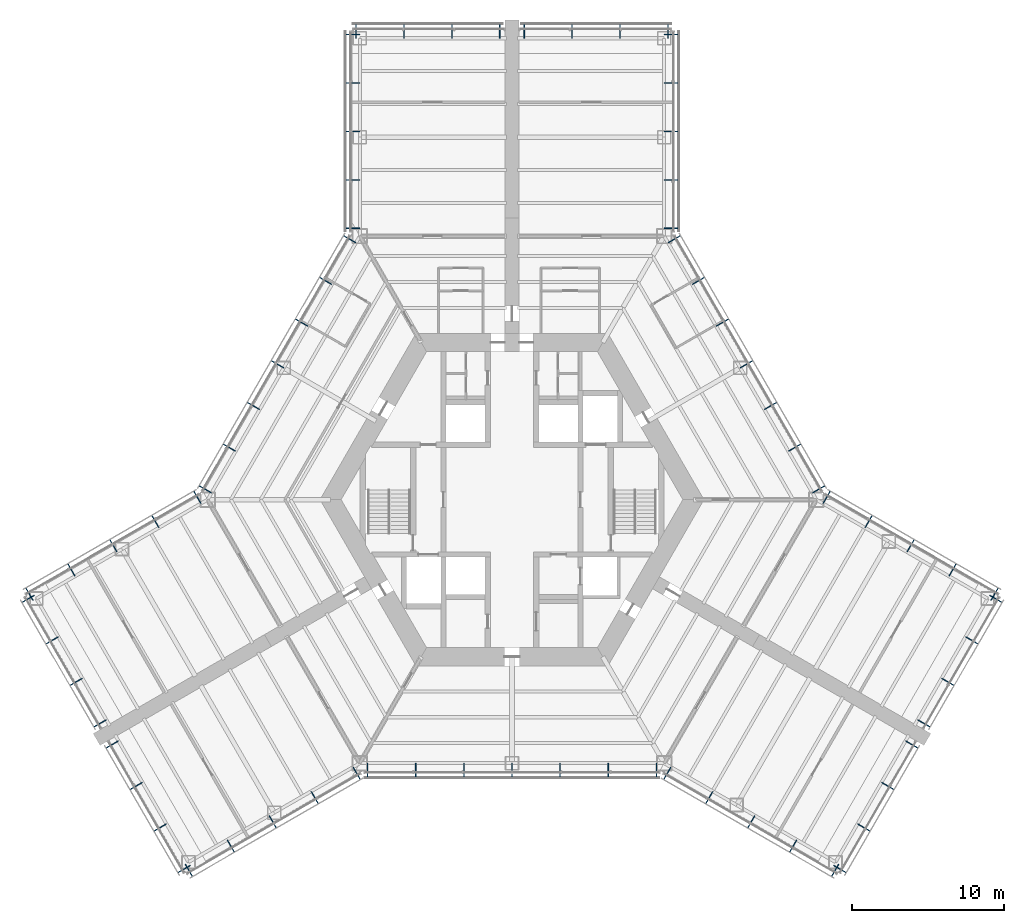
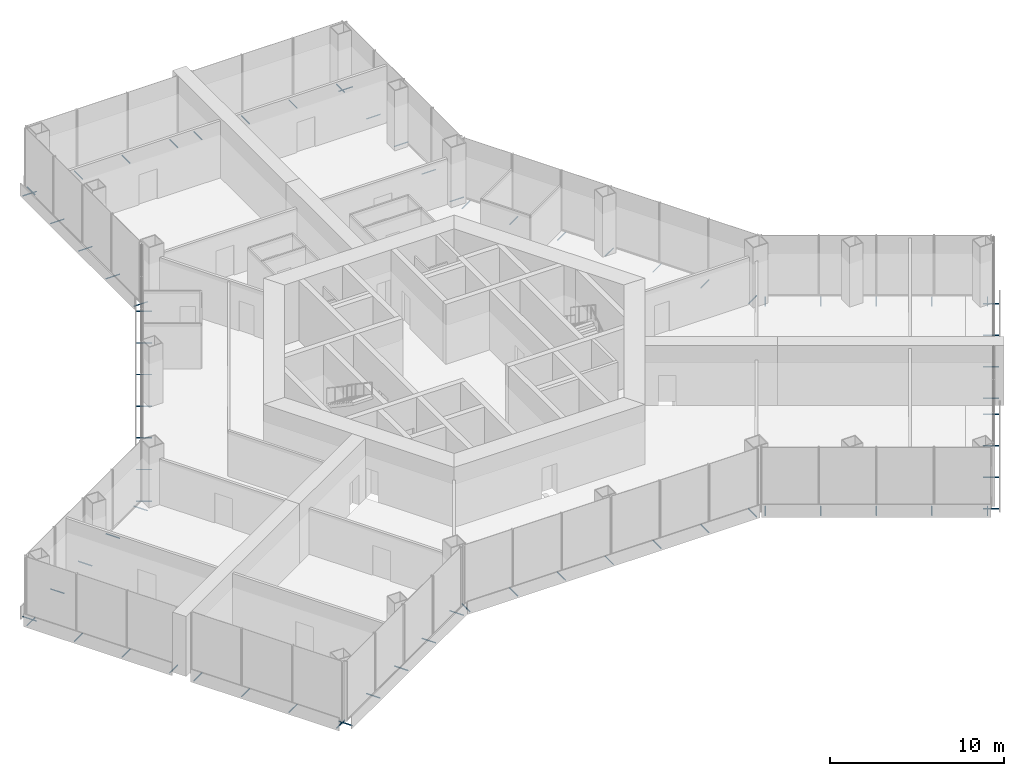
# One storey, part 14 of 16: 75 discrete accessories.
"""IFC4 building model written with IfcOpenShell, lengths in metres."""

from ifc_helpers import new_model, si_unit, direction, frame, origin, origin_2d, place, context, subcontext, project, spatial, hollow_circle, extrude, material, material_profile, profile_set, type_object, element, save


model = new_model("IFC4")

# Units and contexts
model_context = context("Model", 3, precision=1e-05, world=origin(), true_north=direction((0.0, 1.0)))
body_context = subcontext(model_context, "Body", "Model", "MODEL_VIEW")
ifc_project = project(units=[si_unit("LENGTHUNIT", "METRE"), si_unit("AREAUNIT", "SQUARE_METRE"), si_unit("VOLUMEUNIT", "CUBIC_METRE"), si_unit("PLANEANGLEUNIT", "RADIAN"), si_unit("MASSUNIT", "GRAM", prefix="KILO")], contexts=[model_context])

# Site, building, storey
site_placement = place(None, origin())
site = spatial("IfcSite", under=ifc_project, at=site_placement, CompositionType="ELEMENT")
building_placement = place(site_placement, origin())
building = spatial("IfcBuilding", under=site, at=building_placement, Name="Kasaneha Research Tower", CompositionType="ELEMENT")
storey_placement = place(building_placement, frame((0.0, 0.0, 14.199951171875)))
storey = spatial("IfcBuildingStorey", under=building, at=storey_placement, Name="L04", CompositionType="ELEMENT", Elevation=14.199951171875)

# Discrete accessories
ifc_material = material(Name="Steel STK400", Category="steel")
ifc_material_profile = material_profile(ifc_material, hollow_circle(Radius=0.0380859375, WallThickness=0.00390625, at=origin_2d()), Name="CHS-76.3x4.0")
ifc_profile_set = profile_set([ifc_material_profile], Name="Steel STK400")
discrete_accessory_type = type_object("IfcDiscreteAccessoryType", Name="Screen bracket CHS-76.3x4.0", PredefinedType="BRACKET", material=ifc_profile_set)
discrete_accessory_1_placement = place(storey_placement, frame((-21.474853515625, -23.945556640625, -0.349853515625), z_axis=(0.500021113727, -0.866013213425, 0.0), x_axis=(0.866013213425, 0.500021113727, 0.0)))
element("IfcDiscreteAccessory", 1, at=discrete_accessory_1_placement, inside=storey, type_object=discrete_accessory_type, Name="Screen bracket 1", PredefinedType="BRACKET", context=body_context, shape_type="SweptSolid", body=[
    extrude(hollow_circle(Radius=0.0380859375, WallThickness=0.00390625, at=origin_2d()), origin(), (0.0, 0.0, 1.0), 0.919921875),
])
discrete_accessory_2_placement = place(storey_placement, frame((-18.716796875, -22.35302734375, -0.349853515625), z_axis=(0.500105201737, -0.865964657013, 0.0), x_axis=(0.865964657013, 0.500105201737, 0.0)))
element("IfcDiscreteAccessory", 2, at=discrete_accessory_2_placement, inside=storey, type_object=discrete_accessory_type, Name="Screen bracket 2", PredefinedType="BRACKET", context=body_context, shape_type="SweptSolid", body=[
    extrude(hollow_circle(Radius=0.0380859375, WallThickness=0.00390625, at=origin_2d()), origin(), (0.0, 0.0, 1.0), 0.920166015625),
])
discrete_accessory_3_placement = place(storey_placement, frame((-15.95849609375, -20.7607421875, -0.349853515625), z_axis=(0.500021113727, -0.866013213425, 0.0), x_axis=(0.866013213425, 0.500021113727, 0.0)))
element("IfcDiscreteAccessory", 3, at=discrete_accessory_3_placement, inside=storey, type_object=discrete_accessory_type, Name="Screen bracket 3", PredefinedType="BRACKET", context=body_context, shape_type="SweptSolid", body=[
    extrude(hollow_circle(Radius=0.0380859375, WallThickness=0.00390625, at=origin_2d()), origin(), (0.0, 0.0, 1.0), 0.919921875),
])
discrete_accessory_4_placement = place(storey_placement, frame((-13.200439453125, -19.168212890625, -0.349853515625), z_axis=(0.499906209203, -0.866079547155, 0.0), x_axis=(0.866079547155, 0.499906209203, 0.0)))
element("IfcDiscreteAccessory", 4, at=discrete_accessory_4_placement, inside=storey, type_object=discrete_accessory_type, Name="Screen bracket 4", PredefinedType="BRACKET", context=body_context, shape_type="SweptSolid", body=[
    extrude(hollow_circle(Radius=0.0380859375, WallThickness=0.00390625, at=origin_2d()), origin(), (0.0, 0.0, 1.0), 0.920166015625),
])
for number, where, z_axis, x_axis, name in (
    (5, (-10.4423828125, -17.575927734375, -0.349853515625), (0.500021113727, -0.866013213425, 0.0), (0.866013213425, 0.500021113727, 0.0), "Screen bracket 5"),
    (6, (-9.4892578125, -17.320556640625, -0.349853515625), (0.0, -1.0, 0.0), (1.0, 0.0, 0.0), "Screen bracket 1"),
    (7, (-6.326171875, -17.320556640625, -0.349853515625), (0.0, -1.0, 0.0), (1.0, 0.0, 0.0), "Screen bracket 2"),
    (8, (-3.1630859375, -17.320556640625, -0.349853515625), (0.0, -1.0, 0.0), (1.0, 0.0, 0.0), "Screen bracket 3"),
    (9, (0.0, -17.320556640625, -0.349853515625), (0.0, -1.0, 0.0), (1.0, 0.0, 0.0), "Screen bracket 4"),
    (10, (3.1630859375, -17.320556640625, -0.349853515625), (0.0, -1.0, 0.0), (1.0, 0.0, 0.0), "Screen bracket 5"),
    (11, (6.326171875, -17.320556640625, -0.349853515625), (0.0, -1.0, 0.0), (1.0, 0.0, 0.0), "Screen bracket 6"),
    (12, (9.4892578125, -17.320556640625, -0.349853515625), (0.0, -1.0, 0.0), (1.0, 0.0, 0.0), "Screen bracket 7"),
    (13, (10.4423828125, -17.575927734375, -0.349853515625), (-0.500021113727, -0.866013213425, 0.0), (0.866013213425, -0.500021113727, 0.0), "Screen bracket 1"),
):
    element("IfcDiscreteAccessory", number, at=place(storey_placement, frame(where, z_axis=z_axis, x_axis=x_axis)), inside=storey, type_object=discrete_accessory_type, Name=name, PredefinedType="BRACKET", context=body_context, shape_type="SweptSolid", body=[
        extrude(hollow_circle(Radius=0.0380859375, WallThickness=0.00390625, at=origin_2d()), origin(), (0.0, 0.0, 1.0), 0.919921875),
    ])
discrete_accessory_5_placement = place(storey_placement, frame((13.200439453125, -19.168212890625, -0.349853515625), z_axis=(-0.499906209203, -0.866079547155, 0.0), x_axis=(0.866079547155, -0.499906209203, 0.0)))
element("IfcDiscreteAccessory", 14, at=discrete_accessory_5_placement, inside=storey, type_object=discrete_accessory_type, Name="Screen bracket 2", PredefinedType="BRACKET", context=body_context, shape_type="SweptSolid", body=[
    extrude(hollow_circle(Radius=0.0380859375, WallThickness=0.00390625, at=origin_2d()), origin(), (0.0, 0.0, 1.0), 0.920166015625),
])
discrete_accessory_6_placement = place(storey_placement, frame((15.95849609375, -20.7607421875, -0.349853515625), z_axis=(-0.500021113727, -0.866013213425, 0.0), x_axis=(0.866013213425, -0.500021113727, 0.0)))
element("IfcDiscreteAccessory", 15, at=discrete_accessory_6_placement, inside=storey, type_object=discrete_accessory_type, Name="Screen bracket 3", PredefinedType="BRACKET", context=body_context, shape_type="SweptSolid", body=[
    extrude(hollow_circle(Radius=0.0380859375, WallThickness=0.00390625, at=origin_2d()), origin(), (0.0, 0.0, 1.0), 0.919921875),
])
discrete_accessory_7_placement = place(storey_placement, frame((18.716796875, -22.35302734375, -0.349853515625), z_axis=(-0.500105201737, -0.865964657013, 0.0), x_axis=(0.865964657013, -0.500105201737, 0.0)))
element("IfcDiscreteAccessory", 16, at=discrete_accessory_7_placement, inside=storey, type_object=discrete_accessory_type, Name="Screen bracket 4", PredefinedType="BRACKET", context=body_context, shape_type="SweptSolid", body=[
    extrude(hollow_circle(Radius=0.0380859375, WallThickness=0.00390625, at=origin_2d()), origin(), (0.0, 0.0, 1.0), 0.920166015625),
])
discrete_accessory_8_placement = place(storey_placement, frame((21.474853515625, -23.945556640625, -0.349853515625), z_axis=(-0.500021113727, -0.866013213425, 0.0), x_axis=(0.866013213425, -0.500021113727, 0.0)))
element("IfcDiscreteAccessory", 17, at=discrete_accessory_8_placement, inside=storey, type_object=discrete_accessory_type, Name="Screen bracket 5", PredefinedType="BRACKET", context=body_context, shape_type="SweptSolid", body=[
    extrude(hollow_circle(Radius=0.0380859375, WallThickness=0.00390625, at=origin_2d()), origin(), (0.0, 0.0, 1.0), 0.919921875),
])
for number, where, z_axis, x_axis, name in (
    (18, (21.13330078125, -24.037109375, -0.349853515625), (0.866079547155, -0.499906209203, 0.0), (0.499906209203, 0.866079547155, 0.0), "Screen bracket 1"),
    (19, (22.708251953125, -21.30908203125, -0.349853515625), (0.866079547155, -0.499906209203, 0.0), (0.499906209203, 0.866079547155, 0.0), "Screen bracket 2"),
):
    element("IfcDiscreteAccessory", number, at=place(storey_placement, frame(where, z_axis=z_axis, x_axis=x_axis)), inside=storey, type_object=discrete_accessory_type, Name=name, PredefinedType="BRACKET", context=body_context, shape_type="SweptSolid", body=[
        extrude(hollow_circle(Radius=0.0380859375, WallThickness=0.00390625, at=origin_2d()), origin(), (0.0, 0.0, 1.0), 0.920166015625),
    ])
for number, where, z_axis, x_axis, name in (
    (20, (24.283447265625, -18.5810546875, -0.349853515625), (0.866013213425, -0.500021113727, 0.0), (0.500021113727, 0.866013213425, 0.0), "Screen bracket 3"),
    (21, (25.8583984375, -15.85302734375, -0.349853515625), (0.866013213425, -0.500021113727, 0.0), (0.500021113727, 0.866013213425, 0.0), "Screen bracket 4"),
    (22, (26.658447265625, -14.467529296875, -0.349853515625), (0.866013213425, -0.500021113727, 0.0), (0.500021113727, 0.866013213425, 0.0), "Screen bracket 1"),
    (23, (28.2333984375, -11.739501953125, -0.349853515625), (0.866013213425, -0.500021113727, 0.0), (0.500021113727, 0.866013213425, 0.0), "Screen bracket 2"),
    (24, (29.808349609375, -9.011474609375, -0.349853515625), (0.866013213425, -0.500021113727, 0.0), (0.500021113727, 0.866013213425, 0.0), "Screen bracket 3"),
):
    element("IfcDiscreteAccessory", number, at=place(storey_placement, frame(where, z_axis=z_axis, x_axis=x_axis)), inside=storey, type_object=discrete_accessory_type, Name=name, PredefinedType="BRACKET", context=body_context, shape_type="SweptSolid", body=[
        extrude(hollow_circle(Radius=0.0380859375, WallThickness=0.00390625, at=origin_2d()), origin(), (0.0, 0.0, 1.0), 0.919921875),
    ])
discrete_accessory_9_placement = place(storey_placement, frame((31.38330078125, -6.283447265625, -0.349853515625), z_axis=(0.866079547155, -0.499906209203, 0.0), x_axis=(0.499906209203, 0.866079547155, 0.0)))
element("IfcDiscreteAccessory", 25, at=discrete_accessory_9_placement, inside=storey, type_object=discrete_accessory_type, Name="Screen bracket 4", PredefinedType="BRACKET", context=body_context, shape_type="SweptSolid", body=[
    extrude(hollow_circle(Radius=0.0380859375, WallThickness=0.00390625, at=origin_2d()), origin(), (0.0, 0.0, 1.0), 0.920166015625),
])
discrete_accessory_10_placement = place(storey_placement, frame((31.474853515625, -6.625, -0.349853515625), z_axis=(0.500021113727, 0.866013213425, 0.0), x_axis=(-0.866013213425, 0.500021113727, 0.0)))
element("IfcDiscreteAccessory", 26, at=discrete_accessory_10_placement, inside=storey, type_object=discrete_accessory_type, Name="Screen bracket 1", PredefinedType="BRACKET", context=body_context, shape_type="SweptSolid", body=[
    extrude(hollow_circle(Radius=0.0380859375, WallThickness=0.00390625, at=origin_2d()), origin(), (0.0, 0.0, 1.0), 0.919921875),
])
discrete_accessory_11_placement = place(storey_placement, frame((28.716796875, -5.03271484375, -0.349853515625), z_axis=(0.499906209203, 0.866079547155, 0.0), x_axis=(-0.866079547155, 0.499906209203, 0.0)))
element("IfcDiscreteAccessory", 27, at=discrete_accessory_11_placement, inside=storey, type_object=discrete_accessory_type, Name="Screen bracket 2", PredefinedType="BRACKET", context=body_context, shape_type="SweptSolid", body=[
    extrude(hollow_circle(Radius=0.0380859375, WallThickness=0.00390625, at=origin_2d()), origin(), (0.0, 0.0, 1.0), 0.920166015625),
])
discrete_accessory_12_placement = place(storey_placement, frame((25.95849609375, -3.440185546875, -0.349853515625), z_axis=(0.500220121494, 0.865898279276, 0.0), x_axis=(-0.865898279276, 0.500220121494, 0.0)))
element("IfcDiscreteAccessory", 28, at=discrete_accessory_12_placement, inside=storey, type_object=discrete_accessory_type, Name="Screen bracket 3", PredefinedType="BRACKET", context=body_context, shape_type="SweptSolid", body=[
    extrude(hollow_circle(Radius=0.0380859375, WallThickness=0.00390625, at=origin_2d()), origin(), (0.0, 0.0, 1.0), 0.919921875),
])
discrete_accessory_13_placement = place(storey_placement, frame((23.200439453125, -1.847900390625, -0.349853515625), z_axis=(0.499906209203, 0.866079547155, 0.0), x_axis=(-0.866079547155, 0.499906209203, 0.0)))
element("IfcDiscreteAccessory", 29, at=discrete_accessory_13_placement, inside=storey, type_object=discrete_accessory_type, Name="Screen bracket 4", PredefinedType="BRACKET", context=body_context, shape_type="SweptSolid", body=[
    extrude(hollow_circle(Radius=0.0380859375, WallThickness=0.00390625, at=origin_2d()), origin(), (0.0, 0.0, 1.0), 0.920166015625),
])
for number, where, z_axis, x_axis, name in (
    (30, (20.4423828125, -0.25537109375, -0.349853515625), (0.500021113727, 0.866013213425, 0.0), (-0.866013213425, 0.500021113727, 0.0), "Screen bracket 5"),
    (31, (19.74462890625, 0.4423828125, -0.349853515625), (0.866013213425, 0.500021113727, 0.0), (-0.500021113727, 0.866013213425, 0.0), "Screen bracket 1"),
    (32, (18.1630859375, 3.181640625, -0.349853515625), (0.866013213425, 0.500021113727, 0.0), (-0.500021113727, 0.866013213425, 0.0), "Screen bracket 2"),
    (33, (16.58154296875, 5.9208984375, -0.349853515625), (0.866013213425, 0.500021113727, 0.0), (-0.500021113727, 0.866013213425, 0.0), "Screen bracket 3"),
    (34, (15.0, 8.66015625, -0.349853515625), (0.865898279276, 0.500220121494, 0.0), (-0.500220121494, 0.865898279276, 0.0), "Screen bracket 4"),
    (35, (13.41845703125, 11.399658203125, -0.349853515625), (0.866013213425, 0.500021113727, 0.0), (-0.500021113727, 0.866013213425, 0.0), "Screen bracket 5"),
    (36, (11.8369140625, 14.138916015625, -0.349853515625), (0.866013213425, 0.500021113727, 0.0), (-0.500021113727, 0.866013213425, 0.0), "Screen bracket 6"),
):
    element("IfcDiscreteAccessory", number, at=place(storey_placement, frame(where, z_axis=z_axis, x_axis=x_axis)), inside=storey, type_object=discrete_accessory_type, Name=name, PredefinedType="BRACKET", context=body_context, shape_type="SweptSolid", body=[
        extrude(hollow_circle(Radius=0.0380859375, WallThickness=0.00390625, at=origin_2d()), origin(), (0.0, 0.0, 1.0), 0.919921875),
    ])
discrete_accessory_14_placement = place(storey_placement, frame((10.25537109375, 16.878173828125, -0.349853515625), z_axis=(0.866079547155, 0.499906209203, 0.0), x_axis=(-0.499906209203, 0.866079547155, 0.0)))
element("IfcDiscreteAccessory", 37, at=discrete_accessory_14_placement, inside=storey, type_object=discrete_accessory_type, Name="Screen bracket 7", PredefinedType="BRACKET", context=body_context, shape_type="SweptSolid", body=[
    extrude(hollow_circle(Radius=0.0380859375, WallThickness=0.00390625, at=origin_2d()), origin(), (0.0, 0.0, 1.0), 0.920166015625),
])
for number, where, z_axis, x_axis, name in (
    (38, (10.0, 17.831298828125, -0.349853515625), (1.0, 0.0, 0.0), (0.0, 1.0, 0.0), "Screen bracket 1"),
    (39, (10.0, 21.01611328125, -0.349853515625), (1.0, 0.0, 0.0), (0.0, 1.0, 0.0), "Screen bracket 2"),
    (40, (10.0, 24.200927734375, -0.349853515625), (1.0, 0.0, 0.0), (0.0, 1.0, 0.0), "Screen bracket 3"),
    (41, (10.0, 27.3857421875, -0.349853515625), (1.0, 0.0, 0.0), (0.0, 1.0, 0.0), "Screen bracket 4"),
    (42, (10.0, 30.570556640625, -0.349853515625), (1.0, 0.0, 0.0), (0.0, 1.0, 0.0), "Screen bracket 5"),
    (43, (10.25, 30.320556640625, -0.349853515625), (0.0, 1.0, 0.0), (-1.0, 0.0, 0.0), "Screen bracket 1"),
    (44, (7.10009765625, 30.320556640625, -0.349853515625), (0.0, 1.0, 0.0), (-1.0, 0.0, 0.0), "Screen bracket 2"),
    (45, (3.949951171875, 30.320556640625, -0.349853515625), (0.0, 1.0, 0.0), (-1.0, 0.0, 0.0), "Screen bracket 3"),
    (46, (0.800048828125, 30.320556640625, -0.349853515625), (0.0, 1.0, 0.0), (-1.0, 0.0, 0.0), "Screen bracket 4"),
    (47, (-0.800048828125, 30.320556640625, -0.349853515625), (0.0, 1.0, 0.0), (-1.0, 0.0, 0.0), "Screen bracket 1"),
    (48, (-3.949951171875, 30.320556640625, -0.349853515625), (0.0, 1.0, 0.0), (-1.0, 0.0, 0.0), "Screen bracket 2"),
    (49, (-7.10009765625, 30.320556640625, -0.349853515625), (0.0, 1.0, 0.0), (-1.0, 0.0, 0.0), "Screen bracket 3"),
    (50, (-10.25, 30.320556640625, -0.349853515625), (0.0, 1.0, 0.0), (-1.0, 0.0, 0.0), "Screen bracket 4"),
    (51, (-10.0, 30.570556640625, -0.349853515625), (-1.0, 0.0, 0.0), (0.0, -1.0, 0.0), "Screen bracket 1"),
    (52, (-10.0, 27.3857421875, -0.349853515625), (-1.0, 0.0, 0.0), (0.0, -1.0, 0.0), "Screen bracket 2"),
    (53, (-10.0, 24.200927734375, -0.349853515625), (-1.0, 0.0, 0.0), (0.0, -1.0, 0.0), "Screen bracket 3"),
    (54, (-10.0, 21.01611328125, -0.349853515625), (-1.0, 0.0, 0.0), (0.0, -1.0, 0.0), "Screen bracket 4"),
    (55, (-10.0, 17.831298828125, -0.349853515625), (-1.0, 0.0, 0.0), (0.0, -1.0, 0.0), "Screen bracket 5"),
):
    element("IfcDiscreteAccessory", number, at=place(storey_placement, frame(where, z_axis=z_axis, x_axis=x_axis)), inside=storey, type_object=discrete_accessory_type, Name=name, PredefinedType="BRACKET", context=body_context, shape_type="SweptSolid", body=[
        extrude(hollow_circle(Radius=0.0380859375, WallThickness=0.00390625, at=origin_2d()), origin(), (0.0, 0.0, 1.0), 0.919921875),
    ])
discrete_accessory_15_placement = place(storey_placement, frame((-10.25537109375, 16.878173828125, -0.349853515625), z_axis=(-0.866079547155, 0.499906209203, 0.0), x_axis=(-0.499906209203, -0.866079547155, 0.0)))
element("IfcDiscreteAccessory", 56, at=discrete_accessory_15_placement, inside=storey, type_object=discrete_accessory_type, Name="Screen bracket 1", PredefinedType="BRACKET", context=body_context, shape_type="SweptSolid", body=[
    extrude(hollow_circle(Radius=0.0380859375, WallThickness=0.00390625, at=origin_2d()), origin(), (0.0, 0.0, 1.0), 0.920166015625),
])
for number, where, z_axis, x_axis, name in (
    (57, (-11.8369140625, 14.138916015625, -0.349853515625), (-0.866013213425, 0.500021113727, 0.0), (-0.500021113727, -0.866013213425, 0.0), "Screen bracket 2"),
    (58, (-13.41845703125, 11.399658203125, -0.349853515625), (-0.866013213425, 0.500021113727, 0.0), (-0.500021113727, -0.866013213425, 0.0), "Screen bracket 3"),
    (59, (-15.0, 8.66015625, -0.349853515625), (-0.865898279276, 0.500220121494, 0.0), (-0.500220121494, -0.865898279276, 0.0), "Screen bracket 4"),
    (60, (-16.58154296875, 5.9208984375, -0.349853515625), (-0.866013213425, 0.500021113727, 0.0), (-0.500021113727, -0.866013213425, 0.0), "Screen bracket 5"),
    (61, (-18.1630859375, 3.181640625, -0.349853515625), (-0.866013213425, 0.500021113727, 0.0), (-0.500021113727, -0.866013213425, 0.0), "Screen bracket 6"),
    (62, (-19.74462890625, 0.4423828125, -0.349853515625), (-0.866013213425, 0.500021113727, 0.0), (-0.500021113727, -0.866013213425, 0.0), "Screen bracket 7"),
    (63, (-20.4423828125, -0.25537109375, -0.349853515625), (-0.500021113727, 0.866013213425, 0.0), (-0.866013213425, -0.500021113727, 0.0), "Screen bracket 1"),
):
    element("IfcDiscreteAccessory", number, at=place(storey_placement, frame(where, z_axis=z_axis, x_axis=x_axis)), inside=storey, type_object=discrete_accessory_type, Name=name, PredefinedType="BRACKET", context=body_context, shape_type="SweptSolid", body=[
        extrude(hollow_circle(Radius=0.0380859375, WallThickness=0.00390625, at=origin_2d()), origin(), (0.0, 0.0, 1.0), 0.919921875),
    ])
discrete_accessory_16_placement = place(storey_placement, frame((-23.200439453125, -1.847900390625, -0.349853515625), z_axis=(-0.499906209203, 0.866079547155, 0.0), x_axis=(-0.866079547155, -0.499906209203, 0.0)))
element("IfcDiscreteAccessory", 64, at=discrete_accessory_16_placement, inside=storey, type_object=discrete_accessory_type, Name="Screen bracket 2", PredefinedType="BRACKET", context=body_context, shape_type="SweptSolid", body=[
    extrude(hollow_circle(Radius=0.0380859375, WallThickness=0.00390625, at=origin_2d()), origin(), (0.0, 0.0, 1.0), 0.920166015625),
])
discrete_accessory_17_placement = place(storey_placement, frame((-25.95849609375, -3.440185546875, -0.349853515625), z_axis=(-0.500220121494, 0.865898279276, 0.0), x_axis=(-0.865898279276, -0.500220121494, 0.0)))
element("IfcDiscreteAccessory", 65, at=discrete_accessory_17_placement, inside=storey, type_object=discrete_accessory_type, Name="Screen bracket 3", PredefinedType="BRACKET", context=body_context, shape_type="SweptSolid", body=[
    extrude(hollow_circle(Radius=0.0380859375, WallThickness=0.00390625, at=origin_2d()), origin(), (0.0, 0.0, 1.0), 0.919921875),
])
discrete_accessory_18_placement = place(storey_placement, frame((-28.716796875, -5.03271484375, -0.349853515625), z_axis=(-0.499906209203, 0.866079547155, 0.0), x_axis=(-0.866079547155, -0.499906209203, 0.0)))
element("IfcDiscreteAccessory", 66, at=discrete_accessory_18_placement, inside=storey, type_object=discrete_accessory_type, Name="Screen bracket 4", PredefinedType="BRACKET", context=body_context, shape_type="SweptSolid", body=[
    extrude(hollow_circle(Radius=0.0380859375, WallThickness=0.00390625, at=origin_2d()), origin(), (0.0, 0.0, 1.0), 0.920166015625),
])
discrete_accessory_19_placement = place(storey_placement, frame((-31.474853515625, -6.625, -0.349853515625), z_axis=(-0.500021113727, 0.866013213425, 0.0), x_axis=(-0.866013213425, -0.500021113727, 0.0)))
element("IfcDiscreteAccessory", 67, at=discrete_accessory_19_placement, inside=storey, type_object=discrete_accessory_type, Name="Screen bracket 5", PredefinedType="BRACKET", context=body_context, shape_type="SweptSolid", body=[
    extrude(hollow_circle(Radius=0.0380859375, WallThickness=0.00390625, at=origin_2d()), origin(), (0.0, 0.0, 1.0), 0.919921875),
])
discrete_accessory_20_placement = place(storey_placement, frame((-31.38330078125, -6.283447265625, -0.349853515625), z_axis=(-0.866079547155, -0.499906209203, 0.0), x_axis=(0.499906209203, -0.866079547155, 0.0)))
element("IfcDiscreteAccessory", 68, at=discrete_accessory_20_placement, inside=storey, type_object=discrete_accessory_type, Name="Screen bracket 1", PredefinedType="BRACKET", context=body_context, shape_type="SweptSolid", body=[
    extrude(hollow_circle(Radius=0.0380859375, WallThickness=0.00390625, at=origin_2d()), origin(), (0.0, 0.0, 1.0), 0.920166015625),
])
for number, where, z_axis, x_axis, name in (
    (69, (-29.808349609375, -9.011474609375, -0.349853515625), (-0.866013213425, -0.500021113727, 0.0), (0.500021113727, -0.866013213425, 0.0), "Screen bracket 2"),
    (70, (-28.2333984375, -11.739501953125, -0.349853515625), (-0.866013213425, -0.500021113727, 0.0), (0.500021113727, -0.866013213425, 0.0), "Screen bracket 3"),
    (71, (-26.658447265625, -14.467529296875, -0.349853515625), (-0.866013213425, -0.500021113727, 0.0), (0.500021113727, -0.866013213425, 0.0), "Screen bracket 4"),
    (72, (-25.8583984375, -15.85302734375, -0.349853515625), (-0.866013213425, -0.500021113727, 0.0), (0.500021113727, -0.866013213425, 0.0), "Screen bracket 1"),
    (73, (-24.283447265625, -18.5810546875, -0.349853515625), (-0.866013213425, -0.500021113727, 0.0), (0.500021113727, -0.866013213425, 0.0), "Screen bracket 2"),
):
    element("IfcDiscreteAccessory", number, at=place(storey_placement, frame(where, z_axis=z_axis, x_axis=x_axis)), inside=storey, type_object=discrete_accessory_type, Name=name, PredefinedType="BRACKET", context=body_context, shape_type="SweptSolid", body=[
        extrude(hollow_circle(Radius=0.0380859375, WallThickness=0.00390625, at=origin_2d()), origin(), (0.0, 0.0, 1.0), 0.919921875),
    ])
for number, where, z_axis, x_axis, name in (
    (74, (-22.708251953125, -21.30908203125, -0.349853515625), (-0.866079547155, -0.499906209203, 0.0), (0.499906209203, -0.866079547155, 0.0), "Screen bracket 3"),
    (75, (-21.13330078125, -24.037109375, -0.349853515625), (-0.866079547155, -0.499906209203, 0.0), (0.499906209203, -0.866079547155, 0.0), "Screen bracket 4"),
):
    element("IfcDiscreteAccessory", number, at=place(storey_placement, frame(where, z_axis=z_axis, x_axis=x_axis)), inside=storey, type_object=discrete_accessory_type, Name=name, PredefinedType="BRACKET", context=body_context, shape_type="SweptSolid", body=[
        extrude(hollow_circle(Radius=0.0380859375, WallThickness=0.00390625, at=origin_2d()), origin(), (0.0, 0.0, 1.0), 0.920166015625),
    ])

save(model, "model.ifc")
